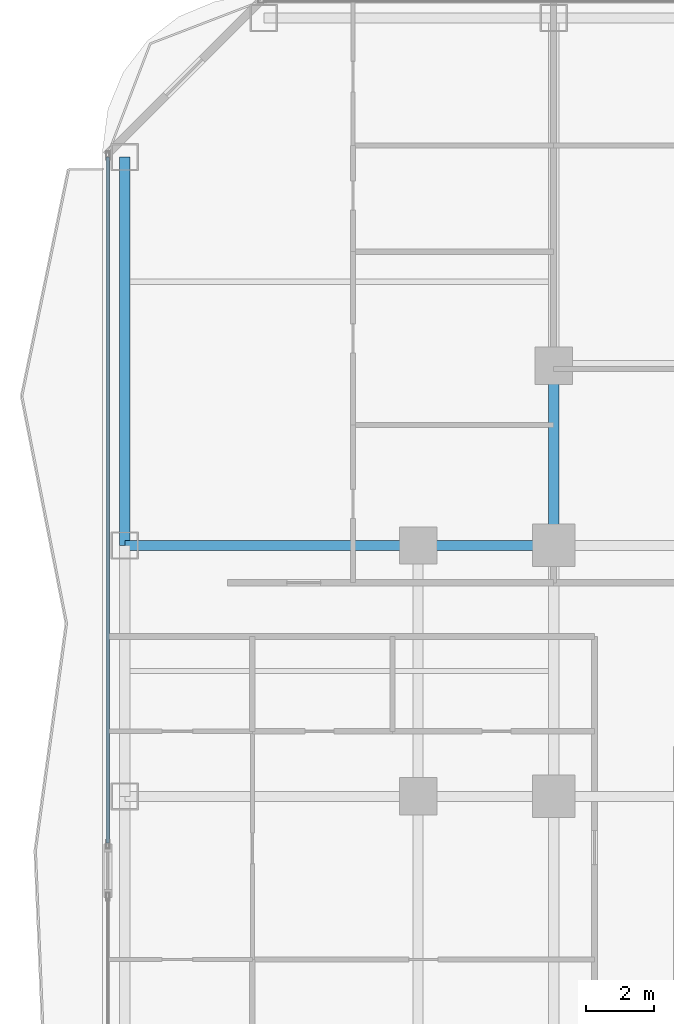
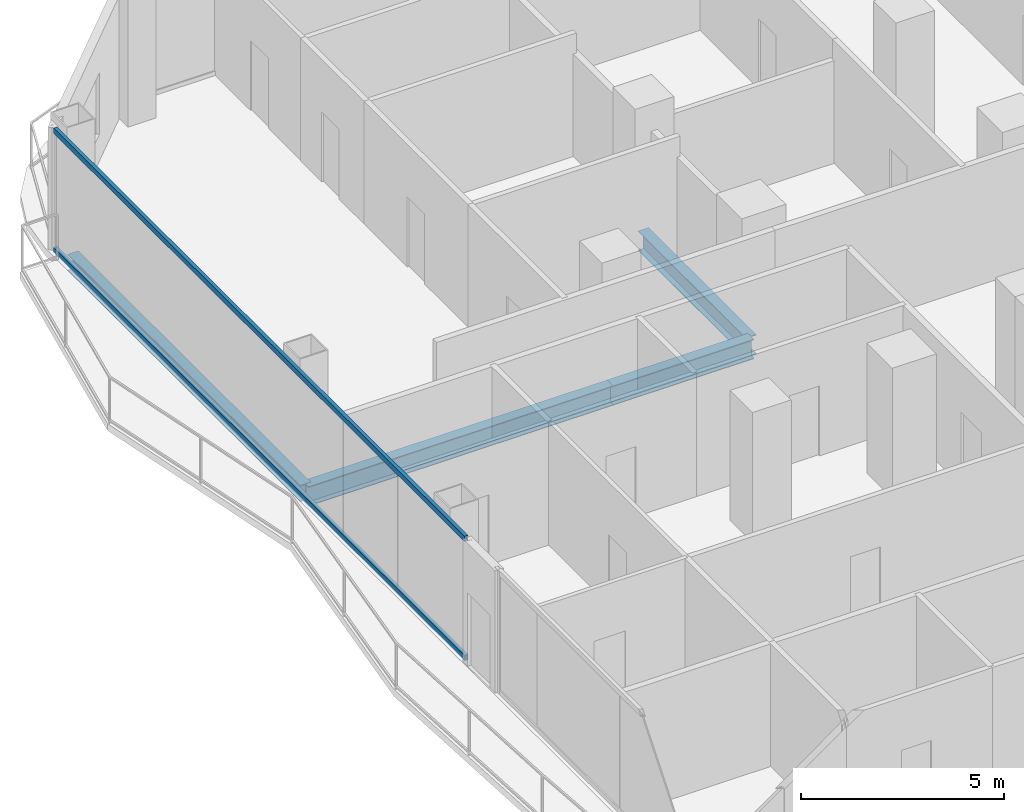
# One storey, part 12 of 28: 4 beams, 2 members, 1 element without a shape of its own.
"""IFC4 building model written with IfcOpenShell, lengths in metres."""

from ifc_helpers import new_model, si_unit, direction, frame, origin, origin_2d, place, context, subcontext, project, spatial, hollow_rectangle, i_section, extrude, material, layer, layer_set, material_profile, profile_set, type_object, element, aggregate, save


model = new_model("IFC4")

# Units and contexts
model_context = context("Model", 3, precision=1e-05, world=origin(), true_north=direction((0.0, 1.0)))
body_context = subcontext(model_context, "Body", "Model", "MODEL_VIEW")
ifc_project = project(units=[si_unit("LENGTHUNIT", "METRE"), si_unit("AREAUNIT", "SQUARE_METRE"), si_unit("VOLUMEUNIT", "CUBIC_METRE"), si_unit("PLANEANGLEUNIT", "RADIAN"), si_unit("MASSUNIT", "GRAM", prefix="KILO")], contexts=[model_context])

# Site, building, storey
site_placement = place(None, origin())
site = spatial("IfcSite", under=ifc_project, at=site_placement, CompositionType="ELEMENT")
building_placement = place(site_placement, origin())
building = spatial("IfcBuilding", under=site, at=building_placement, Name="Khorvyn Point Tower", CompositionType="ELEMENT")
storey_placement = place(building_placement, frame((0.0, 0.0, 100.800048828125)))
storey = spatial("IfcBuildingStorey", under=building, at=storey_placement, Name="L25", CompositionType="ELEMENT", Elevation=100.800048828125)

# Curtain wall, members
ifc_material_1 = material(Name="Anodised aluminium 6063-T6 and laminated Low-E glass", Category="aluminium")
ifc_layer = layer(ifc_material_1, 0.18994140625)
ifc_layer_set = layer_set([ifc_layer], Name="Stick-Built Finned Residential Curtain Wall CW-SYS-02")
curtain_wall_type = type_object("IfcCurtainWallType", Name="Stick-Built Finned Residential Curtain Wall CW-SYS-02", PredefinedType="NOTDEFINED", material=ifc_layer_set)
curtain_wall_placement = place(storey_placement, origin())
curtain_wall = element("IfcCurtainWall", 1, at=curtain_wall_placement, inside=storey, type_object=curtain_wall_type, Name="Curtain Wall", PredefinedType="NOTDEFINED")
ifc_material_2 = material(Name="Anodised aluminium 6063-T6", Category="aluminium")
ifc_material_profile_1 = material_profile(ifc_material_2, hollow_rectangle(XDim=0.10009765625, YDim=0.159912109375, WallThickness=0.00439453125, at=origin_2d()))
ifc_profile_set_1 = profile_set([ifc_material_profile_1], Name="Anodised aluminium 6063-T6 ALU-TRN-100x160")
member_type = type_object("IfcMemberType", Name="Anodised Aluminium 6063-T6 Transom ALU-TRN-100x160", PredefinedType="USERDEFINED", material=ifc_profile_set_1)
member_1_placement = place(storey_placement, frame((-27.949951171875, 6.030029296875, 0.050048828125), z_axis=(0.0, 1.0, 0.0), x_axis=(-1.0, 0.0, 0.0)))
member_1 = element("IfcMember", 2, at=member_1_placement, type_object=member_type, Name="Transom", ObjectType="TRANSOM", PredefinedType="USERDEFINED", context=body_context, shape_type="SweptSolid", body=[
    extrude(hollow_rectangle(XDim=0.10009765625, YDim=0.159912109375, WallThickness=0.00439453125, at=origin_2d()), origin(), (0.0, 0.0, 1.0), 20.219970703125),
])
member_2_placement = place(storey_placement, frame((-27.949951171875, 6.030029296875, 3.6298828125), z_axis=(0.0, 1.0, 0.0), x_axis=(-1.0, 0.0, 0.0)))
member_2 = element("IfcMember", 3, at=member_2_placement, type_object=member_type, Name="Transom", ObjectType="TRANSOM", PredefinedType="USERDEFINED", context=body_context, shape_type="SweptSolid", body=[
    extrude(hollow_rectangle(XDim=0.10009765625, YDim=0.159912109375, WallThickness=0.00439453125, at=origin_2d()), origin(), (0.0, 0.0, 1.0), 20.219970703125),
])
aggregate(curtain_wall, [member_1, member_2])

# Beams
ifc_material_3 = material(Name="Steel S355", Category="steel")
ifc_material_profile_2 = material_profile(ifc_material_3, i_section(OverallWidth=0.300048828125, OverallDepth=0.587890625, WebThickness=0.011962890625, FlangeThickness=0.02001953125, at=origin_2d()))
ifc_profile_set_2 = profile_set([ifc_material_profile_2], Name="Steel S355 H588x300x12x20")
beam_type_1 = type_object("IfcBeamType", Name="Steel S355 Beam H588x300x12x20", PredefinedType="BEAM", material=ifc_profile_set_2)
beam_1_placement = place(storey_placement, frame((-27.449951171875, 14.800048828125, -0.51416015625), z_axis=(1.0, 0.0, 0.0), x_axis=(0.0, 1.0, 0.0)))
element("IfcBeam", 4, at=beam_1_placement, inside=storey, type_object=beam_type_1, Name="Beam", PredefinedType="BEAM", context=body_context, shape_type="SweptSolid", body=[
    extrude(i_section(OverallWidth=0.300048828125, OverallDepth=0.587890625, WebThickness=0.011962890625, FlangeThickness=0.02001953125, at=origin_2d()), origin(), (0.0, 0.0, 1.0), 8.64990234375),
])
beam_2_placement = place(storey_placement, frame((-18.800048828125, 14.800048828125, -0.51416015625), z_axis=(1.0, 0.0, 0.0), x_axis=(0.0, 1.0, 0.0)))
element("IfcBeam", 5, at=beam_2_placement, inside=storey, type_object=beam_type_1, Name="Beam", PredefinedType="BEAM", context=body_context, shape_type="SweptSolid", body=[
    extrude(i_section(OverallWidth=0.300048828125, OverallDepth=0.587890625, WebThickness=0.011962890625, FlangeThickness=0.02001953125, at=origin_2d()), origin(), (0.0, 0.0, 1.0), 4.0),
])
beam_3_placement = place(storey_placement, frame((-14.800048828125, 14.800048828125, -0.51416015625), z_axis=(0.0, 1.0, 0.0), x_axis=(-1.0, 0.0, 0.0)))
element("IfcBeam", 6, at=beam_3_placement, inside=storey, type_object=beam_type_1, Name="Beam", PredefinedType="BEAM", context=body_context, shape_type="SweptSolid", body=[
    extrude(i_section(OverallWidth=0.300048828125, OverallDepth=0.587890625, WebThickness=0.011962890625, FlangeThickness=0.02001953125, at=origin_2d()), origin(), (0.0, 0.0, 1.0), 5.300048828125),
])
ifc_material_profile_3 = material_profile(ifc_material_3, i_section(OverallWidth=0.300048828125, OverallDepth=0.488037109375, WebThickness=0.010986328125, FlangeThickness=0.01806640625, at=origin_2d()))
ifc_profile_set_3 = profile_set([ifc_material_profile_3], Name="Steel S355 H488x300x11x18")
beam_type_2 = type_object("IfcBeamType", Name="Steel S355 Spandrel H488x300x11x18", PredefinedType="SPANDREL", material=ifc_profile_set_3)
beam_4_placement = place(storey_placement, frame((-27.449951171875, 14.800048828125, -0.464111328125), z_axis=(0.0, 1.0, 0.0), x_axis=(-1.0, 0.0, 0.0)))
element("IfcBeam", 7, at=beam_4_placement, inside=storey, type_object=beam_type_2, Name="Beam", PredefinedType="SPANDREL", context=body_context, shape_type="SweptSolid", body=[
    extrude(i_section(OverallWidth=0.300048828125, OverallDepth=0.488037109375, WebThickness=0.010986328125, FlangeThickness=0.01806640625, at=origin_2d()), origin(), (0.0, 0.0, 1.0), 11.449951171875),
])

save(model, "model.ifc")
